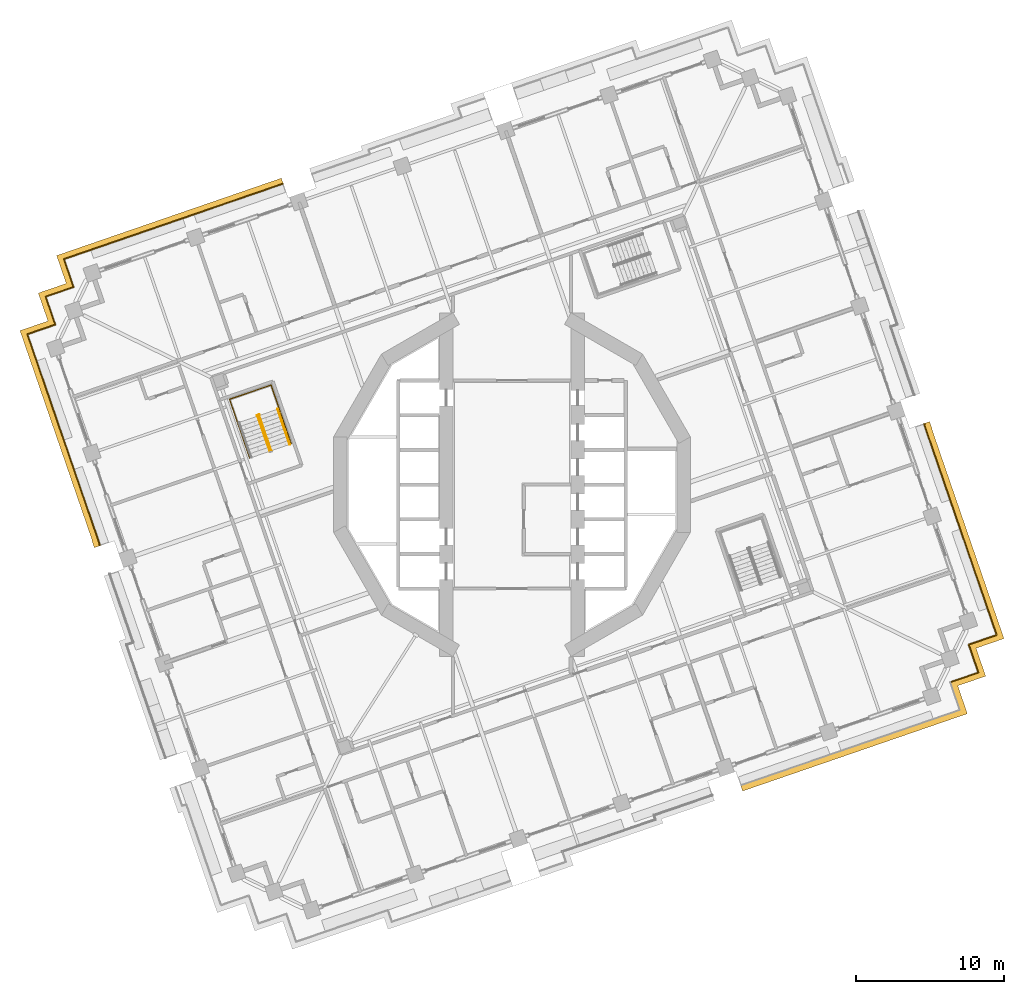
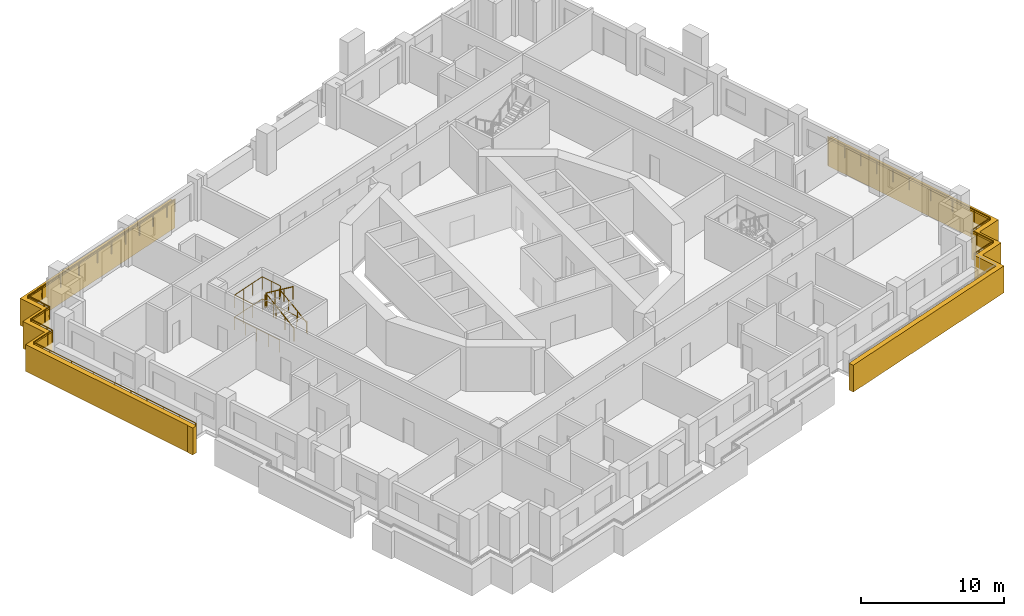
# One storey, part 15 of 18: 8 railings, 2 coverings.
"""IFC4 building model written with IfcOpenShell, lengths in metres."""

import ifcopenshell
import ifcopenshell.guid

model = None  # the IFC model being written
_history = None  # IfcOwnerHistory: only IFC2X3 demands one
_inside = {}  # id of a spatial element -> (the spatial element, [elements in it])
_under = {}  # id of a project, library or spatial element -> (it, [spatial elements below it])
_declared = {}  # id of a project -> (the project, [libraries it declares])
_typed = {}  # id of a type object -> (the type object, [elements of that type])
_made_of = {}  # id of a material, layer set ... -> (it, [elements and type objects made of it])


def new_model(schema):
    """Start an empty IFC model of exactly this schema.

    Asked for "IFC4X3", IfcOpenShell would pick the latest addendum, in which some entities
    have other attributes; the version numbers below select the first issue.
    IFC2X3 requires an IfcOwnerHistory on every rooted entity: one is made here for all.
    """
    global model, _history
    if schema == "IFC4X3":
        model = ifcopenshell.file(schema_version=(4, 3, 0, 0))
    else:
        model = ifcopenshell.file(schema=schema)
    _inside.clear()
    _under.clear()
    _declared.clear()
    _typed.clear()
    _made_of.clear()
    _history = None
    if model.schema == "IFC2X3":
        org = make("IfcOrganization", Name="unknown")
        user = make(
            "IfcPersonAndOrganization",
            ThePerson=make("IfcPerson", FamilyName="unknown"),
            TheOrganization=org,
        )
        app = make(
            "IfcApplication",
            ApplicationDeveloper=org,
            Version="unknown",
            ApplicationFullName="unknown",
            ApplicationIdentifier="unknown",
        )
        _history = make(
            "IfcOwnerHistory",
            OwningUser=user,
            OwningApplication=app,
            ChangeAction="ADDED",
            CreationDate=0,
        )
    return model


def make(cls, **values):
    """One entity of the class cls with the attributes given. An attribute that is None is left unset."""
    return model.create_entity(
        cls, **{name: value for name, value in values.items() if value is not None}
    )


def rooted(cls, **values):
    """An entity with a GlobalId (a new one), such as an element, a storey or a relation."""
    return make(cls, GlobalId=ifcopenshell.guid.new(), OwnerHistory=_history, **values)


def si_unit(unit_type, name, prefix=None):
    """IfcSIUnit, for example si_unit("LENGTHUNIT", "METRE", prefix="MILLI")."""
    return make("IfcSIUnit", UnitType=unit_type, Prefix=prefix, Name=name)


def assignment(units):
    """IfcUnitAssignment: the units of a project."""
    return None if units is None else make("IfcUnitAssignment", Units=units)


def point(xyz):
    """IfcCartesianPoint."""
    return None if xyz is None else make("IfcCartesianPoint", Coordinates=xyz)


def direction(xyz):
    """IfcDirection."""
    return None if xyz is None else make("IfcDirection", DirectionRatios=xyz)


def frame(location, z_axis=None, x_axis=None):
    """IfcAxis2Placement3D, a coordinate frame: its origin and axes. An axis left out is left unset."""
    return make(
        "IfcAxis2Placement3D",
        Location=point(location),
        Axis=direction(z_axis),
        RefDirection=direction(x_axis),
    )


def frame_2d(location, x_axis=None):
    """IfcAxis2Placement2D, a coordinate frame in the plane: its origin and x axis."""
    return make(
        "IfcAxis2Placement2D", Location=point(location), RefDirection=direction(x_axis)
    )


def origin():
    """The frame at (0, 0, 0) with its axes left unset."""
    return frame((0.0, 0.0, 0.0))


def origin_2d():
    """The frame at (0, 0) in the plane with its x axis left unset."""
    return frame_2d((0.0, 0.0))


def place(relative_to, where):
    """IfcLocalPlacement: puts the frame where relative to a parent placement (None: the world)."""
    return make(
        "IfcLocalPlacement", PlacementRelTo=relative_to, RelativePlacement=where
    )


def context(
    kind, dimensions, precision=None, world=None, true_north=None, identifier=None
):
    """IfcGeometricRepresentationContext, for example the 3D "Model" context."""
    return make(
        "IfcGeometricRepresentationContext",
        ContextIdentifier=identifier,
        ContextType=kind,
        CoordinateSpaceDimension=dimensions,
        Precision=precision,
        WorldCoordinateSystem=world,
        TrueNorth=true_north,
    )


def subcontext(parent, identifier, kind, view, scale=None):
    """IfcGeometricRepresentationSubContext, for example "Body" below "Model"."""
    return make(
        "IfcGeometricRepresentationSubContext",
        ContextIdentifier=identifier,
        ContextType=kind,
        ParentContext=parent,
        TargetScale=scale,
        TargetView=view,
    )


def project(units=None, contexts=None):
    """IfcProject with its units and contexts."""
    return rooted(
        "IfcProject",
        Name="project",
        RepresentationContexts=contexts,
        UnitsInContext=assignment(units),
    )


def spatial(cls, under=None, at=None, **own):
    """A site, building, storey or space (cls), placed at a placement, below another one or the project."""
    s = rooted(cls, ObjectPlacement=at, **own)
    if under is not None:
        _under.setdefault(under.id(), (under, []))[1].append(s)
    return s


def polyline(points):
    """IfcPolyline through the points."""
    return make("IfcPolyline", Points=[point(p) for p in points])


def profile(cls, at=None, kind="AREA", **sizes):
    """A parametric profile (cls). Its sizes go by their IFC names, for example OverallWidth=200.0."""
    return make(cls, ProfileType=kind, Position=at, **sizes)


def circle(**sizes):
    """IfcCircleProfileDef."""
    return profile("IfcCircleProfileDef", **sizes)


def outline(outer, holes=None, kind="AREA"):
    """IfcArbitraryClosedProfileDef: a profile drawn as a closed curve; with holes, ...WithVoids."""
    if holes is None:
        return make("IfcArbitraryClosedProfileDef", ProfileType=kind, OuterCurve=outer)
    return make(
        "IfcArbitraryProfileDefWithVoids",
        ProfileType=kind,
        OuterCurve=outer,
        InnerCurves=holes,
    )


def extrude(swept, where, along, depth):
    """IfcExtrudedAreaSolid: the profile swept, set in the frame where, extruded along a direction by depth."""
    return make(
        "IfcExtrudedAreaSolid",
        SweptArea=swept,
        Position=where,
        ExtrudedDirection=direction(along),
        Depth=depth,
    )


def shape(context_of_items, identifier, shape_type, items):
    """IfcShapeRepresentation: the items that make up one representation, for example the "Body"."""
    return make(
        "IfcShapeRepresentation",
        ContextOfItems=context_of_items,
        RepresentationIdentifier=identifier,
        RepresentationType=shape_type,
        Items=items,
    )


def material(Name=None, Category=None):
    """IfcMaterial."""
    return make("IfcMaterial", Name=Name, Category=Category)


def made_of(thing, what):
    """Note that an element or type object is made of a material, layer set ...; save() writes the relation."""
    if what is not None:
        _made_of.setdefault(what.id(), (what, []))[1].append(thing)
    return thing


def type_object(cls, material=None, **own):
    """A type object (cls), such as IfcWallType, which elements share."""
    return made_of(rooted(cls, **own), material)


def element(
    cls,
    number,
    at=None,
    inside=None,
    cuts=None,
    type_object=None,
    material=None,
    context=None,
    identifier="Body",
    shape_type=None,
    held_by="IfcProductDefinitionShape",
    body=None,
    shapes=None,
    **own,
):
    """One element of the class cls, such as IfcWall. Its Tag is "e" and its number.

    at: its placement. inside: the storey or other place that contains it. cuts: it is an
    opening in that element (IfcRelVoidsElement). A single representation is given by context,
    identifier, shape_type and body (its items); several are given by shapes. held_by: the class
    of the entity that holds the representations. save() writes the other relations.
    """
    e = rooted(cls, Tag="e%d" % number, ObjectPlacement=at, **own)
    if body is not None:
        shapes = [shape(context, identifier, shape_type, body)]
    if shapes is not None:
        e.Representation = make(held_by, Representations=shapes)
    if inside is not None:
        _inside.setdefault(inside.id(), (inside, []))[1].append(e)
    if cuts is not None:
        rooted(
            "IfcRelVoidsElement", RelatingBuildingElement=cuts, RelatedOpeningElement=e
        )
    if type_object is not None:
        _typed.setdefault(type_object.id(), (type_object, []))[1].append(e)
    return made_of(e, material)


def aggregate(whole, parts):
    """IfcRelAggregates: a whole, such as a stair, and the parts it consists of."""
    return rooted("IfcRelAggregates", RelatingObject=whole, RelatedObjects=parts)


def save(model, path):
    """Write the relations noted so far, then the file.

    IfcRelAggregates (storeys below a building ...), IfcRelContainedInSpatialStructure (elements
    in a storey), IfcRelDefinesByType, IfcRelAssociatesMaterial and IfcRelDeclares: one each for
    every whole, place, type object, material and project.
    """
    for whole, parts in _under.values():
        aggregate(whole, parts)
    for where, things in _inside.values():
        rooted(
            "IfcRelContainedInSpatialStructure",
            RelatedElements=things,
            RelatingStructure=where,
        )
    for kind, things in _typed.values():
        rooted("IfcRelDefinesByType", RelatedObjects=things, RelatingType=kind)
    for what, things in _made_of.values():
        rooted("IfcRelAssociatesMaterial", RelatedObjects=things, RelatingMaterial=what)
    for by, libraries in _declared.values():
        rooted("IfcRelDeclares", RelatingContext=by, RelatedDefinitions=libraries)
    model.write(path)


model = new_model("IFC4")

# Units and contexts
model_context = context("Model", 3, precision=1e-05, world=origin(), true_north=direction((0.0, 1.0)))
body_context = subcontext(model_context, "Body", "Model", "MODEL_VIEW")
ifc_project = project(units=[si_unit("LENGTHUNIT", "METRE"), si_unit("AREAUNIT", "SQUARE_METRE"), si_unit("VOLUMEUNIT", "CUBIC_METRE"), si_unit("PLANEANGLEUNIT", "RADIAN"), si_unit("MASSUNIT", "GRAM", prefix="KILO")], contexts=[model_context])

# Site, building, storey
site_placement = place(None, origin())
site = spatial("IfcSite", under=ifc_project, at=site_placement, CompositionType="ELEMENT")
building_placement = place(site_placement, origin())
building = spatial("IfcBuilding", under=site, at=building_placement, Name="Cantera Rosa Tower", CompositionType="ELEMENT")
storey_placement = place(building_placement, frame((0.0, 0.0, 134.5)))
storey = spatial("IfcBuildingStorey", under=building, at=storey_placement, Name="L28", CompositionType="ELEMENT", Elevation=134.5)

# Railings
ifc_material_1 = material(Name="Stainless steel and laminated glass", Category="steel")
railing_type_1 = type_object("IfcRailingType", Name="GUARD 1100", PredefinedType="BALUSTRADE", material=ifc_material_1)
railing_1_placement = place(storey_placement, frame((-29.6689453125, 13.369140625, 0.0)))
element("IfcRailing", 1, at=railing_1_placement, inside=storey, type_object=railing_type_1, Name="GUARD L28-5", PredefinedType="BALUSTRADE", context=body_context, shape_type="SweptSolid", body=[
    extrude(circle(Radius=0.030029296875, at=origin_2d()), frame((0.0, 0.0, 1.070068359375), z_axis=(-0.32573481536, 0.945461173218, 0.0), x_axis=(-0.945461173218, -0.32573481536, 0.0)), (0.0, 0.0, 1.0), 0.5),
    extrude(circle(Radius=0.030029296875, at=origin_2d()), frame((-0.162841796875, 0.47265625, 1.070068359375), z_axis=(-0.325489086777, 0.945545797087, 0.0), x_axis=(-0.945545797087, -0.325489086777, 0.0)), (0.0, 0.0, 1.0), 1.500244140625),
    extrude(circle(Radius=0.030029296875, at=origin_2d()), frame((-0.651123046875, 1.89111328125, 1.070068359375), z_axis=(0.945528551438, 0.325539181077, 0.0), x_axis=(-0.325539181077, 0.945528551438, 0.0)), (0.0, 0.0, 1.0), 1.5),
    extrude(circle(Radius=0.030029296875, at=origin_2d()), frame((0.76708984375, 2.37939453125, 1.070068359375), z_axis=(0.945517123015, 0.325572373037, 0.0), x_axis=(-0.325572373037, 0.945517123015, 0.0)), (0.0, 0.0, 1.0), 5.900146484375),
    extrude(circle(Radius=0.030029296875, at=origin_2d()), frame((6.345703125, 4.30029296875, 1.070068359375), z_axis=(0.945528551438, 0.325539181077, 0.0), x_axis=(-0.325539181077, 0.945528551438, 0.0)), (0.0, 0.0, 1.0), 2.999755859375),
    extrude(circle(Radius=0.030029296875, at=origin_2d()), frame((9.18212890625, 5.27685546875, 1.070068359375), z_axis=(0.945513227049, 0.325583687361, 0.0), x_axis=(-0.325583687361, 0.945513227049, 0.0)), (0.0, 0.0, 1.0), 4.400146484375),
    extrude(circle(Radius=0.030029296875, at=origin_2d()), frame((13.342529296875, 6.70947265625, 1.070068359375), z_axis=(0.945522007901, 0.325558186158, 0.0), x_axis=(-0.325558186158, 0.945522007901, 0.0)), (0.0, 0.0, 1.0), 0.869873046875),
    extrude(circle(Radius=0.02490234375, at=origin_2d()), origin(), (0.0, 0.0, 1.0), 1.0400390625),
    extrude(circle(Radius=0.02490234375, at=origin_2d()), frame((-0.162841796875, 0.47265625, 0.0)), (0.0, 0.0, 1.0), 1.0400390625),
    extrude(circle(Radius=0.02490234375, at=origin_2d()), frame((-0.651123046875, 1.89111328125, 0.0)), (0.0, 0.0, 1.0), 1.0400390625),
    extrude(circle(Radius=0.02490234375, at=origin_2d()), frame((0.76708984375, 2.37939453125, 0.0)), (0.0, 0.0, 1.0), 1.0400390625),
    extrude(circle(Radius=0.02490234375, at=origin_2d()), frame((2.626708984375, 3.019775390625, 0.0)), (0.0, 0.0, 1.0), 1.0400390625),
    extrude(circle(Radius=0.02490234375, at=origin_2d()), frame((4.486083984375, 3.659912109375, 0.0)), (0.0, 0.0, 1.0), 1.0400390625),
    extrude(circle(Radius=0.02490234375, at=origin_2d()), frame((6.345703125, 4.30029296875, 0.0)), (0.0, 0.0, 1.0), 1.0400390625),
    extrude(circle(Radius=0.02490234375, at=origin_2d()), frame((7.763916015625, 4.78857421875, 0.0)), (0.0, 0.0, 1.0), 1.0400390625),
    extrude(circle(Radius=0.02490234375, at=origin_2d()), frame((9.18212890625, 5.27685546875, 0.0)), (0.0, 0.0, 1.0), 1.0400390625),
    extrude(circle(Radius=0.02490234375, at=origin_2d()), frame((10.56884765625, 5.75439453125, 0.0)), (0.0, 0.0, 1.0), 1.0400390625),
    extrude(circle(Radius=0.02490234375, at=origin_2d()), frame((11.955810546875, 6.23193359375, 0.0)), (0.0, 0.0, 1.0), 1.0400390625),
    extrude(circle(Radius=0.02490234375, at=origin_2d()), frame((13.342529296875, 6.70947265625, 0.0)), (0.0, 0.0, 1.0), 1.0400390625),
    extrude(circle(Radius=0.02490234375, at=origin_2d()), frame((14.1650390625, 6.99267578125, 0.0)), (0.0, 0.0, 1.0), 1.0400390625),
])
railing_2_placement = place(storey_placement, frame((-27.902099609375, -4.118408203125, 0.0)))
element("IfcRailing", 2, at=railing_2_placement, inside=storey, type_object=railing_type_1, Name="GUARD L28-6", PredefinedType="BALUSTRADE", context=body_context, shape_type="SweptSolid", body=[
    extrude(circle(Radius=0.030029296875, at=origin_2d()), frame((0.0, 0.0, 1.070068359375), z_axis=(-0.326477485611, 0.945204978504, 0.0), x_axis=(-0.945204978504, -0.326477485611, 0.0)), (0.0, 0.0, 1.0), 0.0927734375),
    extrude(circle(Radius=0.030029296875, at=origin_2d()), frame((-0.0302734375, 0.087646484375, 1.070068359375), z_axis=(0.943188038542, 0.332259422668, 0.0), x_axis=(-0.332259422668, 0.943188038542, 0.0)), (0.0, 0.0, 1.0), 0.022705078125),
    extrude(circle(Radius=0.030029296875, at=origin_2d()), frame((-0.0087890625, 0.09521484375, 1.070068359375), z_axis=(-0.325560678376, 0.945521149787, 0.0), x_axis=(-0.945521149787, -0.325560678376, 0.0)), (0.0, 0.0, 1.0), 4.497314453125),
    extrude(circle(Radius=0.030029296875, at=origin_2d()), frame((-1.472900390625, 4.347412109375, 1.070068359375), z_axis=(-0.325539181077, 0.945528551438, 0.0), x_axis=(-0.945528551438, -0.325539181077, 0.0)), (0.0, 0.0, 1.0), 2.999755859375),
    extrude(circle(Radius=0.030029296875, at=origin_2d()), frame((-2.449462890625, 7.183837890625, 1.070068359375), z_axis=(-0.325568215952, 0.945518554425, 0.0), x_axis=(-0.945518554425, -0.325568215952, 0.0)), (0.0, 0.0, 1.0), 6.02001953125),
    extrude(circle(Radius=0.030029296875, at=origin_2d()), frame((-4.409423828125, 12.8759765625, 1.070068359375), z_axis=(-0.325539181077, 0.945528551438, 0.0), x_axis=(-0.945528551438, -0.325539181077, 0.0)), (0.0, 0.0, 1.0), 1.5),
    extrude(circle(Radius=0.030029296875, at=origin_2d()), frame((-4.897705078125, 14.294189453125, 1.070068359375), z_axis=(0.945528551438, 0.325539181077, 0.0), x_axis=(-0.325539181077, 0.945528551438, 0.0)), (0.0, 0.0, 1.0), 1.5),
    extrude(circle(Radius=0.030029296875, at=origin_2d()), frame((-3.4794921875, 14.782470703125, 1.070068359375), z_axis=(0.945461173218, 0.32573481536, 0.0), x_axis=(-0.32573481536, 0.945461173218, 0.0)), (0.0, 0.0, 1.0), 0.5),
    extrude(circle(Radius=0.030029296875, at=origin_2d()), frame((-3.0068359375, 14.9453125, 1.070068359375), z_axis=(-0.325147989177, 0.945663145699, 0.0), x_axis=(-0.945663145699, -0.325147989177, 0.0)), (0.0, 0.0, 1.0), 0.5),
    extrude(circle(Radius=0.030029296875, at=origin_2d()), frame((-3.16943359375, 15.418212890625, 1.070068359375), z_axis=(-0.325684689469, 0.945478441343, 0.0), x_axis=(-0.945478441343, -0.325684689469, 0.0)), (0.0, 0.0, 1.0), 1.5),
    extrude(circle(Radius=0.030029296875, at=origin_2d()), frame((-3.657958984375, 16.83642578125, 1.070068359375), z_axis=(0.945545797087, 0.325489086777, 0.0), x_axis=(-0.325489086777, 0.945545797087, 0.0)), (0.0, 0.0, 1.0), 1.500244140625),
    extrude(circle(Radius=0.030029296875, at=origin_2d()), frame((-2.239501953125, 17.32470703125, 1.070068359375), z_axis=(0.945461173218, 0.32573481536, 0.0), x_axis=(-0.32573481536, 0.945461173218, 0.0)), (0.0, 0.0, 1.0), 0.5),
    extrude(circle(Radius=0.02490234375, at=origin_2d()), origin(), (0.0, 0.0, 1.0), 1.0400390625),
    extrude(circle(Radius=0.02490234375, at=origin_2d()), frame((-0.0302734375, 0.087646484375, 0.0)), (0.0, 0.0, 1.0), 1.0400390625),
    extrude(circle(Radius=0.02490234375, at=origin_2d()), frame((-0.0087890625, 0.09521484375, 0.0)), (0.0, 0.0, 1.0), 1.0400390625),
    extrude(circle(Radius=0.02490234375, at=origin_2d()), frame((-0.496826171875, 1.5126953125, 0.0)), (0.0, 0.0, 1.0), 1.0400390625),
    extrude(circle(Radius=0.02490234375, at=origin_2d()), frame((-0.98486328125, 2.929931640625, 0.0)), (0.0, 0.0, 1.0), 1.0400390625),
    extrude(circle(Radius=0.02490234375, at=origin_2d()), frame((-1.472900390625, 4.347412109375, 0.0)), (0.0, 0.0, 1.0), 1.0400390625),
    extrude(circle(Radius=0.02490234375, at=origin_2d()), frame((-1.961181640625, 5.765625, 0.0)), (0.0, 0.0, 1.0), 1.0400390625),
    extrude(circle(Radius=0.02490234375, at=origin_2d()), frame((-2.449462890625, 7.183837890625, 0.0)), (0.0, 0.0, 1.0), 1.0400390625),
    extrude(circle(Radius=0.02490234375, at=origin_2d()), frame((-3.102783203125, 9.081298828125, 0.0)), (0.0, 0.0, 1.0), 1.0400390625),
    extrude(circle(Radius=0.02490234375, at=origin_2d()), frame((-3.756103515625, 10.978515625, 0.0)), (0.0, 0.0, 1.0), 1.0400390625),
    extrude(circle(Radius=0.02490234375, at=origin_2d()), frame((-4.409423828125, 12.8759765625, 0.0)), (0.0, 0.0, 1.0), 1.0400390625),
    extrude(circle(Radius=0.02490234375, at=origin_2d()), frame((-4.897705078125, 14.294189453125, 0.0)), (0.0, 0.0, 1.0), 1.0400390625),
    extrude(circle(Radius=0.02490234375, at=origin_2d()), frame((-3.4794921875, 14.782470703125, 0.0)), (0.0, 0.0, 1.0), 1.0400390625),
    extrude(circle(Radius=0.02490234375, at=origin_2d()), frame((-3.0068359375, 14.9453125, 0.0)), (0.0, 0.0, 1.0), 1.0400390625),
    extrude(circle(Radius=0.02490234375, at=origin_2d()), frame((-3.16943359375, 15.418212890625, 0.0)), (0.0, 0.0, 1.0), 1.0400390625),
    extrude(circle(Radius=0.02490234375, at=origin_2d()), frame((-3.657958984375, 16.83642578125, 0.0)), (0.0, 0.0, 1.0), 1.0400390625),
    extrude(circle(Radius=0.02490234375, at=origin_2d()), frame((-2.239501953125, 17.32470703125, 0.0)), (0.0, 0.0, 1.0), 1.0400390625),
    extrude(circle(Radius=0.02490234375, at=origin_2d()), frame((-1.766845703125, 17.487548828125, 0.0)), (0.0, 0.0, 1.0), 1.0400390625),
])
railing_3_placement = place(storey_placement, frame((27.902099609375, 4.118408203125, 0.0)))
element("IfcRailing", 3, at=railing_3_placement, inside=storey, type_object=railing_type_1, Name="GUARD L28-11", PredefinedType="BALUSTRADE", context=body_context, shape_type="SweptSolid", body=[
    extrude(circle(Radius=0.030029296875, at=origin_2d()), frame((0.0, 0.0, 1.070068359375), z_axis=(0.326477485611, -0.945204978504, 0.0), x_axis=(0.945204978504, 0.326477485611, 0.0)), (0.0, 0.0, 1.0), 0.0927734375),
    extrude(circle(Radius=0.030029296875, at=origin_2d()), frame((0.0302734375, -0.087646484375, 1.070068359375), z_axis=(-0.943188038542, -0.332259422668, 0.0), x_axis=(0.332259422668, -0.943188038542, 0.0)), (0.0, 0.0, 1.0), 0.022705078125),
    extrude(circle(Radius=0.030029296875, at=origin_2d()), frame((0.0087890625, -0.09521484375, 1.070068359375), z_axis=(0.325560678376, -0.945521149787, 0.0), x_axis=(0.945521149787, 0.325560678376, 0.0)), (0.0, 0.0, 1.0), 4.497314453125),
    extrude(circle(Radius=0.030029296875, at=origin_2d()), frame((1.472900390625, -4.347412109375, 1.070068359375), z_axis=(0.325539181077, -0.945528551438, 0.0), x_axis=(0.945528551438, 0.325539181077, 0.0)), (0.0, 0.0, 1.0), 2.999755859375),
    extrude(circle(Radius=0.030029296875, at=origin_2d()), frame((2.449462890625, -7.183837890625, 1.070068359375), z_axis=(0.325568215952, -0.945518554425, 0.0), x_axis=(0.945518554425, 0.325568215952, 0.0)), (0.0, 0.0, 1.0), 6.02001953125),
    extrude(circle(Radius=0.030029296875, at=origin_2d()), frame((4.409423828125, -12.8759765625, 1.070068359375), z_axis=(0.325539181077, -0.945528551438, 0.0), x_axis=(0.945528551438, 0.325539181077, 0.0)), (0.0, 0.0, 1.0), 1.5),
    extrude(circle(Radius=0.030029296875, at=origin_2d()), frame((4.897705078125, -14.294189453125, 1.070068359375), z_axis=(-0.945528551438, -0.325539181077, 0.0), x_axis=(0.325539181077, -0.945528551438, 0.0)), (0.0, 0.0, 1.0), 1.5),
    extrude(circle(Radius=0.030029296875, at=origin_2d()), frame((3.4794921875, -14.782470703125, 1.070068359375), z_axis=(-0.945461173218, -0.32573481536, 0.0), x_axis=(0.32573481536, -0.945461173218, 0.0)), (0.0, 0.0, 1.0), 0.5),
    extrude(circle(Radius=0.030029296875, at=origin_2d()), frame((3.0068359375, -14.9453125, 1.070068359375), z_axis=(0.325147989177, -0.945663145699, 0.0), x_axis=(0.945663145699, 0.325147989177, 0.0)), (0.0, 0.0, 1.0), 0.5),
    extrude(circle(Radius=0.030029296875, at=origin_2d()), frame((3.16943359375, -15.418212890625, 1.070068359375), z_axis=(0.325684689469, -0.945478441343, 0.0), x_axis=(0.945478441343, 0.325684689469, 0.0)), (0.0, 0.0, 1.0), 1.5),
    extrude(circle(Radius=0.030029296875, at=origin_2d()), frame((3.657958984375, -16.83642578125, 1.070068359375), z_axis=(-0.945545797087, -0.325489086777, 0.0), x_axis=(0.325489086777, -0.945545797087, 0.0)), (0.0, 0.0, 1.0), 1.500244140625),
    extrude(circle(Radius=0.030029296875, at=origin_2d()), frame((2.239501953125, -17.32470703125, 1.070068359375), z_axis=(-0.945461173218, -0.32573481536, 0.0), x_axis=(0.32573481536, -0.945461173218, 0.0)), (0.0, 0.0, 1.0), 0.5),
    extrude(circle(Radius=0.02490234375, at=origin_2d()), origin(), (0.0, 0.0, 1.0), 1.0400390625),
    extrude(circle(Radius=0.02490234375, at=origin_2d()), frame((0.0302734375, -0.087646484375, 0.0)), (0.0, 0.0, 1.0), 1.0400390625),
    extrude(circle(Radius=0.02490234375, at=origin_2d()), frame((0.0087890625, -0.09521484375, 0.0)), (0.0, 0.0, 1.0), 1.0400390625),
    extrude(circle(Radius=0.02490234375, at=origin_2d()), frame((0.496826171875, -1.5126953125, 0.0)), (0.0, 0.0, 1.0), 1.0400390625),
    extrude(circle(Radius=0.02490234375, at=origin_2d()), frame((0.98486328125, -2.929931640625, 0.0)), (0.0, 0.0, 1.0), 1.0400390625),
    extrude(circle(Radius=0.02490234375, at=origin_2d()), frame((1.472900390625, -4.347412109375, 0.0)), (0.0, 0.0, 1.0), 1.0400390625),
    extrude(circle(Radius=0.02490234375, at=origin_2d()), frame((1.961181640625, -5.765625, 0.0)), (0.0, 0.0, 1.0), 1.0400390625),
    extrude(circle(Radius=0.02490234375, at=origin_2d()), frame((2.449462890625, -7.183837890625, 0.0)), (0.0, 0.0, 1.0), 1.0400390625),
    extrude(circle(Radius=0.02490234375, at=origin_2d()), frame((3.102783203125, -9.081298828125, 0.0)), (0.0, 0.0, 1.0), 1.0400390625),
    extrude(circle(Radius=0.02490234375, at=origin_2d()), frame((3.756103515625, -10.978515625, 0.0)), (0.0, 0.0, 1.0), 1.0400390625),
    extrude(circle(Radius=0.02490234375, at=origin_2d()), frame((4.409423828125, -12.8759765625, 0.0)), (0.0, 0.0, 1.0), 1.0400390625),
    extrude(circle(Radius=0.02490234375, at=origin_2d()), frame((4.897705078125, -14.294189453125, 0.0)), (0.0, 0.0, 1.0), 1.0400390625),
    extrude(circle(Radius=0.02490234375, at=origin_2d()), frame((3.4794921875, -14.782470703125, 0.0)), (0.0, 0.0, 1.0), 1.0400390625),
    extrude(circle(Radius=0.02490234375, at=origin_2d()), frame((3.0068359375, -14.9453125, 0.0)), (0.0, 0.0, 1.0), 1.0400390625),
    extrude(circle(Radius=0.02490234375, at=origin_2d()), frame((3.16943359375, -15.418212890625, 0.0)), (0.0, 0.0, 1.0), 1.0400390625),
    extrude(circle(Radius=0.02490234375, at=origin_2d()), frame((3.657958984375, -16.83642578125, 0.0)), (0.0, 0.0, 1.0), 1.0400390625),
    extrude(circle(Radius=0.02490234375, at=origin_2d()), frame((2.239501953125, -17.32470703125, 0.0)), (0.0, 0.0, 1.0), 1.0400390625),
    extrude(circle(Radius=0.02490234375, at=origin_2d()), frame((1.766845703125, -17.487548828125, 0.0)), (0.0, 0.0, 1.0), 1.0400390625),
])
ifc_material_2 = material(Name="Steel S355J2 (EN 10025-2)", Category="steel")
railing_type_2 = type_object("IfcRailingType", Name="STAIR GUARD 1100", PredefinedType="GUARDRAIL", material=ifc_material_2)
railing_4_placement = place(storey_placement, frame((-16.2978515625, 2.292236328125, 0.18994140625)))
element("IfcRailing", 4, at=railing_4_placement, inside=storey, type_object=railing_type_2, Name="L28 ST-22 stair guard 1", PredefinedType="GUARDRAIL", context=body_context, shape_type="SweptSolid", body=[
    extrude(circle(Radius=0.02392578125, at=origin_2d()), frame((0.0, 0.0, 1.076171875), z_axis=(-0.269432418223, 0.782404165978, 0.561471186323), x_axis=(-0.94550776501, -0.325599548996, 0.0)), (0.0, 0.0, 1.0), 3.04541015625),
    extrude(circle(Radius=0.02392578125, at=origin_2d()), frame((-0.820556640625, 2.3828125, 2.7861328125), z_axis=(0.147491890402, 0.989063265047, 0.0), x_axis=(-0.989063265047, 0.147491890402, 0.0)), (0.0, 0.0, 1.0), 0.056396484375),
    extrude(circle(Radius=0.02392578125, at=origin_2d()), frame((-0.812255859375, 2.4384765625, 2.7861328125), z_axis=(-0.945372981626, -0.325990683319, 0.0), x_axis=(0.325990683319, -0.945372981626, 0.0)), (0.0, 0.0, 1.0), 0.14990234375),
    extrude(circle(Radius=0.02099609375, at=origin_2d()), origin(), (0.0, 0.0, 1.0), 1.052001953125),
    extrude(circle(Radius=0.02099609375, at=origin_2d()), frame((-0.2734375, 0.794189453125, 0.570068359375)), (0.0, 0.0, 1.0), 1.052001953125),
    extrude(circle(Radius=0.02099609375, at=origin_2d()), frame((-0.547119140625, 1.588623046875, 1.139892578125)), (0.0, 0.0, 1.0), 1.052001953125),
    extrude(circle(Radius=0.02099609375, at=origin_2d()), frame((-0.820556640625, 2.3828125, 1.7099609375)), (0.0, 0.0, 1.0), 1.052001953125),
    extrude(circle(Radius=0.02099609375, at=origin_2d()), frame((-0.812255859375, 2.4384765625, 1.7099609375)), (0.0, 0.0, 1.0), 1.052001953125),
    extrude(circle(Radius=0.02099609375, at=origin_2d()), frame((-0.953857421875, 2.3896484375, 1.7099609375)), (0.0, 0.0, 1.0), 1.052001953125),
])
railing_5_placement = place(storey_placement, frame((-17.2109375, 4.64306640625, 2.090087890625)))
element("IfcRailing", 5, at=railing_5_placement, inside=storey, type_object=railing_type_2, Name="L28 ST-22 stair guard 2", PredefinedType="GUARDRAIL", context=body_context, shape_type="SweptSolid", body=[
    extrude(circle(Radius=0.02392578125, at=origin_2d()), frame((0.0, 0.0, 1.076171875), z_axis=(0.269358070891, -0.782421063063, 0.561483312059), x_axis=(0.945537585866, 0.325512939397, 0.0)), (0.0, 0.0, 1.0), 3.04541015625),
    extrude(circle(Radius=0.02099609375, at=origin_2d()), origin(), (0.0, 0.0, 1.0), 1.052001953125),
    extrude(circle(Radius=0.02099609375, at=origin_2d()), frame((0.2734375, -0.794189453125, 0.570068359375)), (0.0, 0.0, 1.0), 1.052001953125),
    extrude(circle(Radius=0.02099609375, at=origin_2d()), frame((0.546875, -1.588623046875, 1.139892578125)), (0.0, 0.0, 1.0), 1.052001953125),
    extrude(circle(Radius=0.02099609375, at=origin_2d()), frame((0.8203125, -2.3828125, 1.7099609375)), (0.0, 0.0, 1.0), 1.052001953125),
])
railing_6_placement = place(storey_placement, frame((-14.944091796875, 2.77099609375, 0.0)))
element("IfcRailing", 6, at=railing_6_placement, inside=storey, type_object=railing_type_2, Name="L28 ST-22 stair guard 4", PredefinedType="GUARDRAIL", context=body_context, shape_type="SweptSolid", body=[
    extrude(circle(Radius=0.02392578125, at=origin_2d()), frame((0.0, 0.0, 1.076171875), z_axis=(-0.325546180042, 0.945526141712, 0.0), x_axis=(-0.945526141712, -0.325546180042, 0.0)), (0.0, 0.0, 1.0), 4.1982421875),
    extrude(circle(Radius=0.02392578125, at=origin_2d()), frame((-1.36669921875, 3.969482421875, 1.076171875), z_axis=(-0.945504814226, -0.325608117645, 0.0), x_axis=(0.325608117645, -0.945504814226, 0.0)), (0.0, 0.0, 1.0), 2.969970703125),
    extrude(circle(Radius=0.02392578125, at=origin_2d()), frame((-4.1748046875, 3.00244140625, 1.076171875), z_axis=(0.325564081496, -0.945519978022, 0.0), x_axis=(0.945519978022, 0.325564081496, 0.0)), (0.0, 0.0, 1.0), 4.197998046875),
    extrude(circle(Radius=0.02099609375, at=origin_2d()), origin(), (0.0, 0.0, 1.0), 1.052001953125),
    extrude(circle(Radius=0.02099609375, at=origin_2d()), frame((-0.341796875, 0.992431640625, 0.0)), (0.0, 0.0, 1.0), 1.052001953125),
    extrude(circle(Radius=0.02099609375, at=origin_2d()), frame((-0.683349609375, 1.98486328125, 0.0)), (0.0, 0.0, 1.0), 1.052001953125),
    extrude(circle(Radius=0.02099609375, at=origin_2d()), frame((-1.02490234375, 2.97705078125, 0.0)), (0.0, 0.0, 1.0), 1.052001953125),
    extrude(circle(Radius=0.02099609375, at=origin_2d()), frame((-1.36669921875, 3.969482421875, 0.0)), (0.0, 0.0, 1.0), 1.052001953125),
    extrude(circle(Radius=0.02099609375, at=origin_2d()), frame((-2.302734375, 3.647216796875, 0.0)), (0.0, 0.0, 1.0), 1.052001953125),
    extrude(circle(Radius=0.02099609375, at=origin_2d()), frame((-3.23876953125, 3.32470703125, 0.0)), (0.0, 0.0, 1.0), 1.052001953125),
    extrude(circle(Radius=0.02099609375, at=origin_2d()), frame((-4.1748046875, 3.00244140625, 0.0)), (0.0, 0.0, 1.0), 1.052001953125),
    extrude(circle(Radius=0.02099609375, at=origin_2d()), frame((-3.8330078125, 2.01025390625, 0.0)), (0.0, 0.0, 1.0), 1.052001953125),
    extrude(circle(Radius=0.02099609375, at=origin_2d()), frame((-3.491455078125, 1.017822265625, 0.0)), (0.0, 0.0, 1.0), 1.052001953125),
    extrude(circle(Radius=0.02099609375, at=origin_2d()), frame((-3.14990234375, 0.025390625, 0.0)), (0.0, 0.0, 1.0), 1.052001953125),
    extrude(circle(Radius=0.02099609375, at=origin_2d()), frame((-2.80810546875, -0.966796875, 0.0)), (0.0, 0.0, 1.0), 1.052001953125),
])
railing_7_placement = place(storey_placement, frame((-15.756591796875, 5.131103515625, 1.89990234375)))
element("IfcRailing", 7, at=railing_7_placement, inside=storey, type_object=railing_type_2, Name="L28 ST-22 stair guard 5", PredefinedType="GUARDRAIL", context=body_context, shape_type="SweptSolid", body=[
    extrude(circle(Radius=0.02392578125, at=origin_2d()), frame((0.0, 0.0, 1.076171875), z_axis=(-0.32559282233, 0.94551008141, 0.0), x_axis=(-0.94551008141, -0.32559282233, 0.0)), (0.0, 0.0, 1.0), 1.7021484375),
    extrude(circle(Radius=0.02392578125, at=origin_2d()), frame((-0.55419921875, 1.609375, 1.076171875), z_axis=(-0.945504814226, -0.325608117645, 0.0), x_axis=(0.325608117645, -0.945504814226, 0.0)), (0.0, 0.0, 1.0), 2.969970703125),
    extrude(circle(Radius=0.02392578125, at=origin_2d()), frame((-3.3623046875, 0.642333984375, 1.076171875), z_axis=(0.325464585813, -0.945554230799, 0.0), x_axis=(0.945554230799, 0.325464585813, 0.0)), (0.0, 0.0, 1.0), 1.7021484375),
    extrude(circle(Radius=0.02099609375, at=origin_2d()), origin(), (0.0, 0.0, 1.0), 1.052001953125),
    extrude(circle(Radius=0.02099609375, at=origin_2d()), frame((-0.277099609375, 0.8046875, 0.0)), (0.0, 0.0, 1.0), 1.052001953125),
    extrude(circle(Radius=0.02099609375, at=origin_2d()), frame((-0.55419921875, 1.609375, 0.0)), (0.0, 0.0, 1.0), 1.052001953125),
    extrude(circle(Radius=0.02099609375, at=origin_2d()), frame((-1.490234375, 1.287109375, 0.0)), (0.0, 0.0, 1.0), 1.052001953125),
    extrude(circle(Radius=0.02099609375, at=origin_2d()), frame((-2.42626953125, 0.964599609375, 0.0)), (0.0, 0.0, 1.0), 1.052001953125),
    extrude(circle(Radius=0.02099609375, at=origin_2d()), frame((-3.3623046875, 0.642333984375, 0.0)), (0.0, 0.0, 1.0), 1.052001953125),
    extrude(circle(Radius=0.02099609375, at=origin_2d()), frame((-3.08544921875, -0.162353515625, 0.0)), (0.0, 0.0, 1.0), 1.052001953125),
    extrude(circle(Radius=0.02099609375, at=origin_2d()), frame((-2.808349609375, -0.967041015625, 0.0)), (0.0, 0.0, 1.0), 1.052001953125),
])
ifc_material_3 = material(Name="Steel S355J2 (EN 10025-2)", Category="steel")
railing_type_3 = type_object("IfcRailingType", Name="STAIR HANDRAIL 900", PredefinedType="HANDRAIL", material=ifc_material_3)
railing_8_placement = place(storey_placement, frame((-15.044189453125, 2.723876953125, 0.18994140625)))
element("IfcRailing", 8, at=railing_8_placement, inside=storey, type_object=railing_type_3, Name="L28 ST-22 stair handrail 1", PredefinedType="HANDRAIL", context=body_context, shape_type="SweptSolid", body=[
    extrude(circle(Radius=0.02392578125, at=origin_2d()), frame((0.0, 0.0, 0.8759765625), z_axis=(-0.269358070891, 0.782421063063, 0.561483312059), x_axis=(-0.945537585866, -0.325512939397, 0.0)), (0.0, 0.0, 1.0), 3.04541015625),
    extrude(circle(Radius=0.02099609375, at=origin_2d()), origin(), (0.0, 0.0, 1.0), 0.851806640625),
    extrude(circle(Radius=0.02099609375, at=origin_2d()), frame((-0.2734375, 0.794189453125, 0.570068359375)), (0.0, 0.0, 1.0), 0.851806640625),
    extrude(circle(Radius=0.02099609375, at=origin_2d()), frame((-0.546875, 1.588623046875, 1.139892578125)), (0.0, 0.0, 1.0), 0.851806640625),
    extrude(circle(Radius=0.02099609375, at=origin_2d()), frame((-0.8203125, 2.3828125, 1.7099609375)), (0.0, 0.0, 1.0), 0.851806640625),
])

# Coverings
ifc_material_4 = material(Name="Cantera stone", Category="masonry")
covering_type = type_object("IfcCoveringType", Name="TRAY FASCIA 400", PredefinedType="CLADDING", material=ifc_material_4)
covering_1_placement = place(storey_placement, frame((0.0, 0.0, -1.39990234375)))
element("IfcCovering", 9, at=covering_1_placement, inside=storey, type_object=covering_type, Name="TRAY FASCIA L28-01", PredefinedType="CLADDING", context=body_context, shape_type="SweptSolid", body=[
    extrude(outline(polyline([(-30.729736328125, 2.935302734375), (-32.689697265625, 8.627197265625), (-33.308349609375, 10.423828125), (-31.511962890625, 11.042236328125), (-31.417236328125, 11.074951171875), (-31.449951171875, 11.16943359375), (-32.068359375, 12.966064453125), (-30.27197265625, 13.58447265625), (-30.177490234375, 13.6171875), (-30.2099609375, 13.711669921875), (-30.82861328125, 15.508056640625), (-29.031982421875, 16.126708984375), (-23.453369140625, 18.047607421875), (-20.616943359375, 19.024169921875), (-16.45654296875, 20.456787109375), (-15.615234375, 20.74658203125), (-15.48486328125, 20.368408203125), (-16.326416015625, 20.07861328125), (-20.48681640625, 18.64599609375), (-23.3232421875, 17.66943359375), (-28.90185546875, 15.74853515625), (-30.320068359375, 15.26025390625), (-29.831787109375, 13.841796875), (-29.6689453125, 13.369140625), (-30.1416015625, 13.206298828125), (-31.56005859375, 12.718017578125), (-31.071533203125, 11.2998046875), (-30.908935546875, 10.826904296875), (-31.381591796875, 10.6640625), (-32.7998046875, 10.17578125), (-32.3115234375, 8.757568359375), (-30.3515625, 3.0654296875), (-29.375, 0.22900390625), (-27.910888671875, -4.023193359375), (-27.932373046875, -4.03076171875), (-27.8955078125, -4.13720703125), (-28.273681640625, -4.267578125), (-28.440673828125, -3.78271484375), (-28.419189453125, -3.775390625), (-29.753173828125, 0.0986328125), (-30.729736328125, 2.935302734375)])), origin(), (0.0, 0.0, 1.0), 2.2998046875),
])
covering_2_placement = place(storey_placement, frame((0.0, 0.0, -1.39990234375)))
element("IfcCovering", 10, at=covering_2_placement, inside=storey, type_object=covering_type, Name="TRAY FASCIA L28-06", PredefinedType="CLADDING", context=body_context, shape_type="SweptSolid", body=[
    extrude(outline(polyline([(28.440673828125, 3.78271484375), (28.419189453125, 3.775390625), (29.753173828125, -0.0986328125), (30.729736328125, -2.935302734375), (32.689697265625, -8.627197265625), (33.308349609375, -10.423828125), (31.511962890625, -11.042236328125), (31.417236328125, -11.074951171875), (31.449951171875, -11.16943359375), (32.068359375, -12.966064453125), (30.27197265625, -13.58447265625), (30.177490234375, -13.6171875), (30.2099609375, -13.711669921875), (30.82861328125, -15.508056640625), (29.031982421875, -16.126708984375), (23.453369140625, -18.047607421875), (20.616943359375, -19.024169921875), (16.45654296875, -20.456787109375), (15.615234375, -20.74658203125), (15.48486328125, -20.368408203125), (16.326416015625, -20.07861328125), (20.48681640625, -18.64599609375), (23.3232421875, -17.66943359375), (28.90185546875, -15.74853515625), (30.320068359375, -15.26025390625), (29.831787109375, -13.841796875), (29.6689453125, -13.369140625), (30.1416015625, -13.206298828125), (31.56005859375, -12.718017578125), (31.071533203125, -11.2998046875), (30.908935546875, -10.826904296875), (31.381591796875, -10.6640625), (32.7998046875, -10.17578125), (32.3115234375, -8.757568359375), (30.3515625, -3.0654296875), (29.375, -0.22900390625), (27.910888671875, 4.023193359375), (27.932373046875, 4.03076171875), (27.8955078125, 4.13720703125), (28.273681640625, 4.267578125), (28.440673828125, 3.78271484375)])), origin(), (0.0, 0.0, 1.0), 2.2998046875),
])

save(model, "model.ifc")
